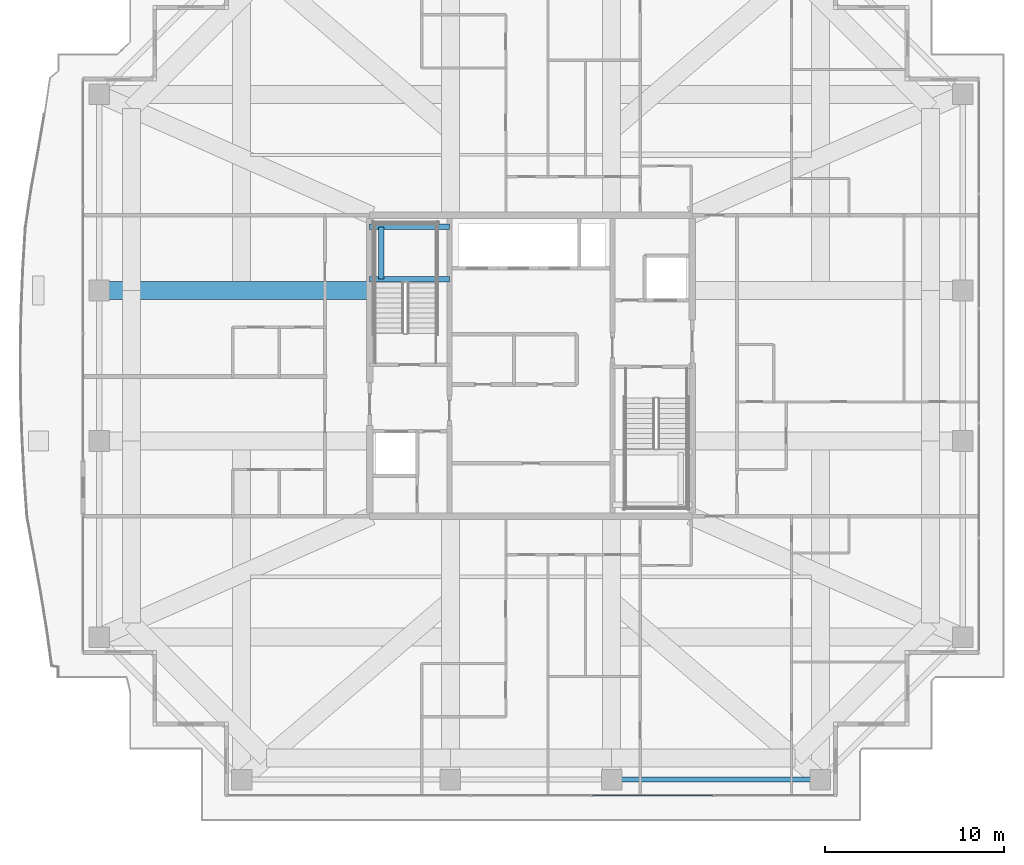
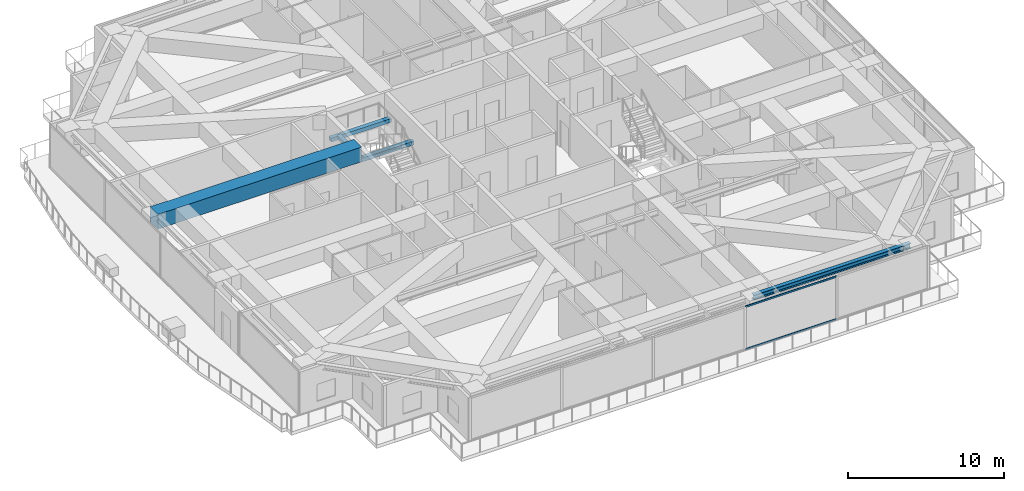
# One storey, part 12 of 39: 5 beams, 2 members, 1 element without a shape of its own.
"""IFC4 building model written with IfcOpenShell, lengths in metres."""

from ifc_helpers import new_model, si_unit, direction, frame, origin, origin_2d, place, context, subcontext, project, spatial, rectangle, hollow_rectangle, i_section, extrude, source, transform, mapped, material, layer, layer_set, material_profile, profile_set, type_object, element, aggregate, save


model = new_model("IFC4")

# Units and contexts
model_context = context("Model", 3, precision=1e-05, world=origin(), true_north=direction((0.0, 1.0)))
body_context = subcontext(model_context, "Body", "Model", "MODEL_VIEW")
ifc_project = project(units=[si_unit("LENGTHUNIT", "METRE"), si_unit("AREAUNIT", "SQUARE_METRE"), si_unit("VOLUMEUNIT", "CUBIC_METRE"), si_unit("PLANEANGLEUNIT", "RADIAN"), si_unit("MASSUNIT", "GRAM", prefix="KILO")], contexts=[model_context])

# Site, building, storey
site_placement = place(None, origin())
site = spatial("IfcSite", under=ifc_project, at=site_placement, CompositionType="ELEMENT")
building_placement = place(site_placement, origin())
building = spatial("IfcBuilding", under=site, at=building_placement, Name="Serunith Strait Residences", CompositionType="ELEMENT")
storey_placement = place(building_placement, frame((0.0, 0.0, 283.60009765625)))
storey = spatial("IfcBuildingStorey", under=building, at=storey_placement, Name="L71", CompositionType="ELEMENT", Elevation=283.60009765625)

# Beams
ifc_material_1 = material(Name="Concrete C80/95", Category="concrete")
ifc_material_profile_1 = material_profile(ifc_material_1, rectangle(XDim=1.0, YDim=1.14990234375, at=origin_2d()), Name="RC 1000x1150")
ifc_profile_set_1 = profile_set([ifc_material_profile_1], Name="Concrete C80/95")
beam_type_1 = type_object("IfcBeamType", Name="BM-XFER-1000x1150", PredefinedType="BEAM", material=ifc_profile_set_1)
shared_shape_1 = source(origin(), body_context, "Body", "SweptSolid", [
    extrude(rectangle(XDim=1.0, YDim=1.14990234375, at=origin_2d()), origin(), (0.0, 0.0, 1.0), 15.099853515625),
])
beam_1_placement = place(storey_placement, frame((23.39990234375, 29.39990234375, 2.8349609375), z_axis=(-1.0, 0.0, 0.0), x_axis=(0.0, -1.0, 0.0)))
element("IfcBeam", 1, at=beam_1_placement, inside=storey, type_object=beam_type_1, Name="L71 Primary Floor Girder TC-W3", PredefinedType="BEAM", context=body_context, shape_type="MappedRepresentation", body=[
    mapped(shared_shape_1, transform((0.0, 0.0, 0.0), scale=1.0)),
])
ifc_material_2 = material(Name="Steel S355J2", Category="steel")
ifc_material_profile_2 = material_profile(ifc_material_2, i_section(OverallWidth=0.300048828125, OverallDepth=0.39990234375, WebThickness=0.013427734375, FlangeThickness=0.02392578125, FilletRadius=0.027099609375, at=origin_2d()), Name="HEB 400")
ifc_profile_set_2 = profile_set([ifc_material_profile_2], Name="Steel S355J2")
beam_type_2 = type_object("IfcBeamType", Name="BM-HEB400", PredefinedType="BEAM", material=ifc_profile_set_2)
shared_shape_2 = source(origin(), body_context, "Body", "SweptSolid", [
    extrude(i_section(OverallWidth=0.300048828125, OverallDepth=0.39990234375, WebThickness=0.013427734375, FlangeThickness=0.02392578125, FilletRadius=0.027099609375, at=origin_2d()), origin(), (0.0, 0.0, 1.0), 11.650146484375),
])
beam_2_placement = place(storey_placement, frame((36.89990234375, 2.10009765625, 3.206787109375), z_axis=(1.0, 0.0, 0.0), x_axis=(0.0, 1.0, 0.0)))
element("IfcBeam", 2, at=beam_2_placement, inside=storey, type_object=beam_type_2, Name="L71 Perimeter Ring Beam 03", PredefinedType="BEAM", context=body_context, shape_type="MappedRepresentation", body=[
    mapped(shared_shape_2, transform((0.0, 0.0, 0.0), scale=1.0)),
])
ifc_material_3 = material(Name="Concrete C60/75", Category="concrete")
ifc_material_profile_3 = material_profile(ifc_material_3, rectangle(XDim=0.300048828125, YDim=0.300048828125, at=origin_2d()), Name="RC 300x300")
ifc_profile_set_3 = profile_set([ifc_material_profile_3], Name="Concrete C60/75")
beam_type_3 = type_object("IfcBeamType", Name="BM-LAND-300x300", PredefinedType="BEAM", material=ifc_profile_set_3)
shared_shape_3 = source(origin(), body_context, "Body", "SweptSolid", [
    extrude(rectangle(XDim=0.300048828125, YDim=0.300048828125, at=origin_2d()), origin(), (0.0, 0.0, 1.0), 4.4501953125),
])
for number, where, z_axis, x_axis, name in (
    (3, (23.39990234375, 30.030029296875, 1.574951171875), (1.0, 0.0, 0.0), (0.0, 1.0, 0.0), "L71 ST-1 Landing Support Beam 1"),
    (4, (23.39990234375, 32.949951171875, 1.574951171875), (1.0, 0.0, 0.0), (0.0, 1.0, 0.0), "L71 ST-1 Landing Support Beam 2"),
):
    element("IfcBeam", number, at=place(storey_placement, frame(where, z_axis=z_axis, x_axis=x_axis)), inside=storey, type_object=beam_type_3, Name=name, PredefinedType="BEAM", context=body_context, shape_type="MappedRepresentation", body=[
        mapped(shared_shape_3, transform((0.0, 0.0, 0.0), scale=1.0)),
    ])
shared_shape_4 = source(origin(), body_context, "Body", "SweptSolid", [
    extrude(rectangle(XDim=0.300048828125, YDim=0.300048828125, at=origin_2d()), origin(), (0.0, 0.0, 1.0), 2.919921875),
])
beam_3_placement = place(storey_placement, frame((24.050048828125, 30.030029296875, 1.574951171875), z_axis=(0.0, 1.0, 0.0), x_axis=(-1.0, 0.0, 0.0)))
element("IfcBeam", 5, at=beam_3_placement, inside=storey, type_object=beam_type_3, Name="L71 ST-1 Landing Transverse Tie Beam", PredefinedType="BEAM", context=body_context, shape_type="MappedRepresentation", body=[
    mapped(shared_shape_4, transform((0.0, 0.0, 0.0), scale=1.0)),
])

# Curtain wall, members
ifc_material_4 = material(Name="Pale-Champagne Anodised Aluminium", Category="aluminium")
ifc_layer = layer(ifc_material_4, 0.199951171875, Name="Pale-Champagne Anodised Aluminium")
ifc_layer_set = layer_set([ifc_layer], Name="Pale-Champagne Anodised Aluminium")
curtain_wall_type = type_object("IfcCurtainWallType", Name="CW-SYS4", PredefinedType="NOTDEFINED", material=ifc_layer_set)
curtain_wall_placement = place(storey_placement, origin())
curtain_wall = element("IfcCurtainWall", 6, at=curtain_wall_placement, inside=storey, type_object=curtain_wall_type, Name="L71 S Unitised Fritted Curtain Wall", PredefinedType="NOTDEFINED")
ifc_material_profile_4 = material_profile(ifc_material_4, hollow_rectangle(XDim=0.06005859375, YDim=0.139892578125, WallThickness=0.00341796875, InnerFilletRadius=0.00537109375, OuterFilletRadius=0.0087890625, at=origin_2d()), Name="ALU 140x60x3.5")
ifc_profile_set_4 = profile_set([ifc_material_profile_4], Name="Pale-Champagne Anodised Aluminium")
member_type = type_object("IfcMemberType", Name="CW-SYS4-TRAN", PredefinedType="USERDEFINED", material=ifc_profile_set_4)
shared_shape_5 = source(origin(), body_context, "Body", "SweptSolid", [
    extrude(hollow_rectangle(XDim=0.06005859375, YDim=0.139892578125, WallThickness=0.00341796875, InnerFilletRadius=0.00537109375, OuterFilletRadius=0.0087890625, at=origin_2d()), origin(), (0.0, 0.0, 1.0), 6.73486328125),
])
member_1_placement = place(storey_placement, frame((35.83251953125, 1.199951171875, 0.02978515625), z_axis=(1.0, 0.0, 0.0), x_axis=(0.0, 1.0, 0.0)))
member_1 = element("IfcMember", 7, at=member_1_placement, type_object=member_type, Name="CW-4 transom 4.1", ObjectType="TRANSOM", PredefinedType="USERDEFINED", context=body_context, shape_type="MappedRepresentation", body=[
    mapped(shared_shape_5, transform((0.0, 0.0, 0.0), scale=1.0)),
])
member_2_placement = place(storey_placement, frame((35.83251953125, 1.199951171875, 3.364990234375), z_axis=(1.0, 0.0, 0.0), x_axis=(0.0, 1.0, 0.0)))
member_2 = element("IfcMember", 8, at=member_2_placement, type_object=member_type, Name="CW-4 transom 4.2", ObjectType="TRANSOM", PredefinedType="USERDEFINED", context=body_context, shape_type="MappedRepresentation", body=[
    mapped(shared_shape_5, transform((0.0, 0.0, 0.0), scale=1.0)),
])
aggregate(curtain_wall, [member_1, member_2])

save(model, "model.ifc")
